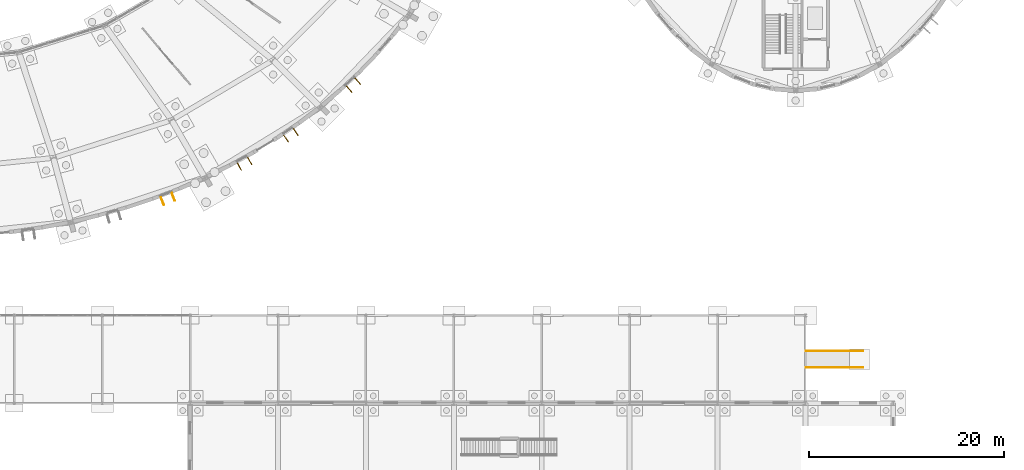
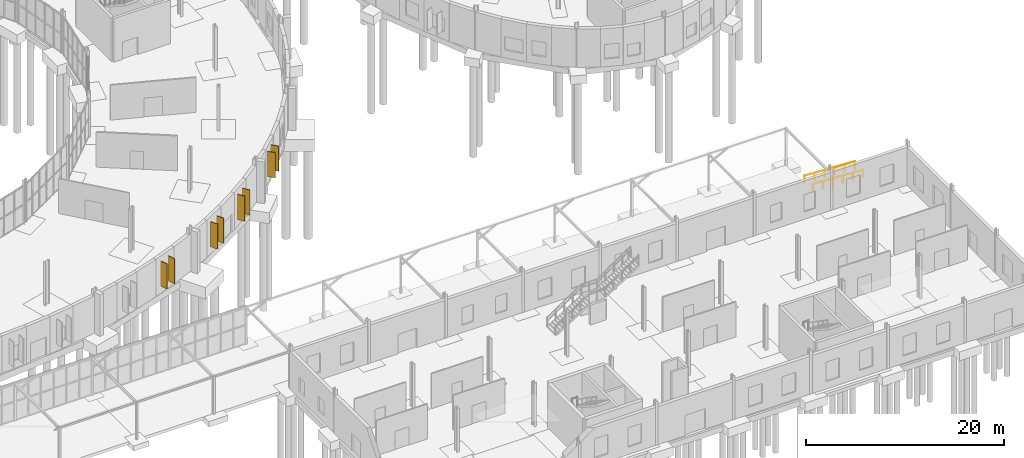
# One storey, part 112 of 118: 8 shading devices, 2 railings.
"""IFC4 building model written with IfcOpenShell, lengths in metres."""

from ifc_helpers import new_model, si_unit, direction, frame, origin, origin_2d, place, context, subcontext, project, spatial, rectangle, circle, extrude, material, layer, layer_set, type_object, element, save


model = new_model("IFC4")

# Units and contexts
model_context = context("Model", 3, precision=1e-05, world=origin(), true_north=direction((0.0, 1.0)))
body_context = subcontext(model_context, "Body", "Model", "MODEL_VIEW")
ifc_project = project(units=[si_unit("LENGTHUNIT", "METRE"), si_unit("AREAUNIT", "SQUARE_METRE"), si_unit("VOLUMEUNIT", "CUBIC_METRE"), si_unit("PLANEANGLEUNIT", "RADIAN"), si_unit("MASSUNIT", "GRAM", prefix="KILO")], contexts=[model_context])

# Site, building, storey
site_placement = place(None, origin())
site = spatial("IfcSite", under=ifc_project, at=site_placement, CompositionType="ELEMENT")
building_placement = place(site_placement, origin())
building = spatial("IfcBuilding", under=site, at=building_placement, Name="Kildeholm Park Wholesale Market", CompositionType="ELEMENT")
storey_placement = place(building_placement, origin())
storey = spatial("IfcBuildingStorey", under=building, at=storey_placement, Name="L00", CompositionType="ELEMENT", Elevation=0.0)

# Shading devices
ifc_material_1 = material(Name="Glazed ceramic and anodised aluminium brise-soleil", Category="aluminium")
ifc_layer = layer(ifc_material_1, 0.080078125)
ifc_layer_set = layer_set([ifc_layer], Name="Glazed ceramic and anodised aluminium brise-soleil")
shading_device_type = type_object("IfcShadingDeviceType", Name="Brise-soleil solar fin SH-FIN1 850x80", PredefinedType="USERDEFINED", material=ifc_layer_set)
for number, where, z_axis, x_axis, name in (
    (1, (123.155517578125, 47.69921875, 0.849853515625), (0.0, 0.0, 1.0), (0.355514823241, -0.93467064277, 0.0), "Brise-soleil fin V1-19-3.1 SHD-0042"),
    (2, (124.277099609375, 48.125732421875, 0.849853515625), (0.0, 0.0, 1.0), (0.355514823241, -0.93467064277, 0.0), "Brise-soleil fin V1-19-3.2 SHD-0043"),
    (3, (131.04150390625, 51.225830078125, 0.849853515625), (0.0, 0.0, 1.0), (0.481157079508, -0.876634396336, 0.0), "Brise-soleil fin V1-20-1.1 SHD-0045"),
    (4, (132.093505859375, 51.80322265625, 0.849853515625), (0.0, 0.0, 1.0), (0.481157079508, -0.876634396336, 0.0), "Brise-soleil fin V1-20-1.2 SHD-0046"),
    (5, (135.82373046875, 54.08740234375, 0.849853515625), (0.0, 0.0, 1.0), (0.563035733151, -0.826432552115, 0.0), "Brise-soleil fin V1-20-3.1 SHD-0047"),
    (6, (136.8154296875, 54.762939453125, 0.849853515625), (0.0, 0.0, 1.0), (0.563035733151, -0.826432552115, 0.0), "Brise-soleil fin V1-20-3.2 SHD-0048"),
    (7, (142.288330078125, 59.14892578125, 0.849853515625), (0.0, 0.0, 1.0), (0.68319730752, -0.730233824879, 0.0), "Brise-soleil fin V1-21-1.1 SHD-0050"),
    (8, (143.16455078125, 59.96875, 0.849853515625), (0.0, 0.0, 1.0), (0.68319730752, -0.730233824879, 0.0), "Brise-soleil fin V1-21-1.2 SHD-0051"),
):
    element("IfcShadingDevice", number, at=place(storey_placement, frame(where, z_axis=z_axis, x_axis=x_axis)), inside=storey, type_object=shading_device_type, Name=name, ObjectType="SOLAR FIN", PredefinedType="USERDEFINED", context=body_context, shape_type="SweptSolid", body=[
        extrude(rectangle(XDim=0.85009765625, YDim=0.080078125, at=origin_2d()), origin(), (0.0, 0.0, 1.0), 3.10009765625),
    ])

# Railings
ifc_material_2 = material(Name="Stainless steel AISI 316 handrail", Category="steel")
railing_type = type_object("IfcRailingType", Name="Ramp handrail HR-EX1 900 mm", PredefinedType="HANDRAIL", material=ifc_material_2)
for number, where, name in (
    (9, (194.919921875, 32.35009765625, -0.300048828125), "Ramp handrail RM-V6-E R RLG-0016"),
    (10, (194.919921875, 30.64990234375, -0.300048828125), "Ramp handrail RM-V6-E L RLG-0017"),
):
    element("IfcRailing", number, at=place(storey_placement, frame(where)), inside=storey, type_object=railing_type, Name=name, PredefinedType="HANDRAIL", context=body_context, shape_type="SweptSolid", body=[
        extrude(circle(Radius=0.02392578125, at=origin_2d()), frame((0.0, 0.0, 0.8759765625), z_axis=(-0.998687171473, 0.0, 0.051224345133), x_axis=(0.0, -1.0, 0.0)), (0.0, 0.0, 1.0), 5.857421875),
        extrude(circle(Radius=0.02099609375, at=origin_2d()), origin(), (0.0, 0.0, 1.0), 0.851806640625),
        extrude(circle(Radius=0.02099609375, at=origin_2d()), frame((-1.169921875, 0.0, 0.06005859375)), (0.0, 0.0, 1.0), 0.851806640625),
        extrude(circle(Radius=0.02099609375, at=origin_2d()), frame((-2.33984375, 0.0, 0.1201171875)), (0.0, 0.0, 1.0), 0.851806640625),
        extrude(circle(Radius=0.02099609375, at=origin_2d()), frame((-3.510009765625, 0.0, 0.179931640625)), (0.0, 0.0, 1.0), 0.851806640625),
        extrude(circle(Radius=0.02099609375, at=origin_2d()), frame((-4.679931640625, 0.0, 0.239990234375)), (0.0, 0.0, 1.0), 0.851806640625),
        extrude(circle(Radius=0.02099609375, at=origin_2d()), frame((-5.849853515625, 0.0, 0.300048828125)), (0.0, 0.0, 1.0), 0.851806640625),
    ])

save(model, "model.ifc")
